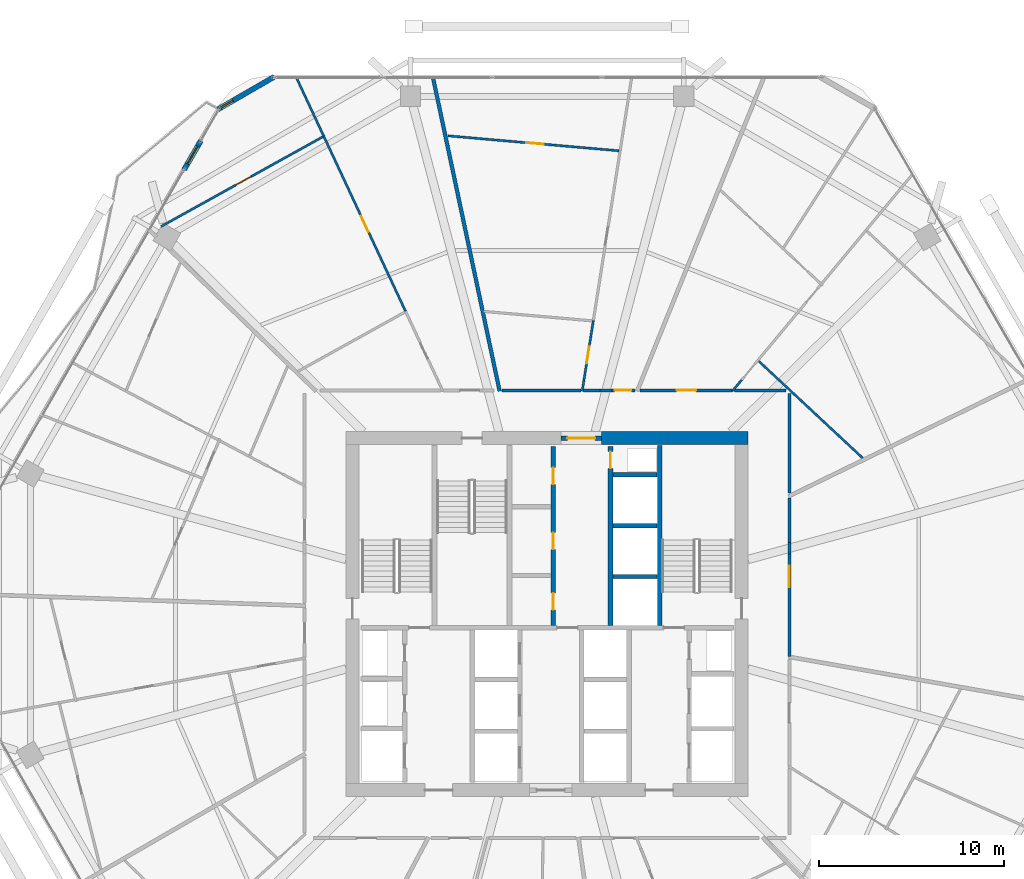
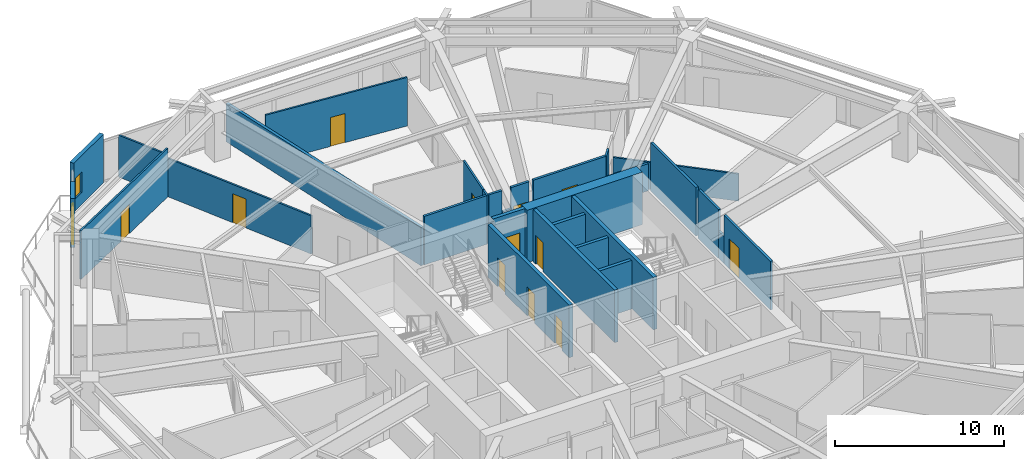
# One storey, part 30 of 33: 29 walls, 13 doors, 1 window, 14 openings.
"""IFC4 building model written with IfcOpenShell, lengths in metres."""

import ifcopenshell
import ifcopenshell.guid

model = None  # the IFC model being written
_history = None  # IfcOwnerHistory: only IFC2X3 demands one
_inside = {}  # id of a spatial element -> (the spatial element, [elements in it])
_under = {}  # id of a project, library or spatial element -> (it, [spatial elements below it])
_declared = {}  # id of a project -> (the project, [libraries it declares])
_typed = {}  # id of a type object -> (the type object, [elements of that type])
_made_of = {}  # id of a material, layer set ... -> (it, [elements and type objects made of it])


def new_model(schema):
    """Start an empty IFC model of exactly this schema.

    Asked for "IFC4X3", IfcOpenShell would pick the latest addendum, in which some entities
    have other attributes; the version numbers below select the first issue.
    IFC2X3 requires an IfcOwnerHistory on every rooted entity: one is made here for all.
    """
    global model, _history
    if schema == "IFC4X3":
        model = ifcopenshell.file(schema_version=(4, 3, 0, 0))
    else:
        model = ifcopenshell.file(schema=schema)
    _inside.clear()
    _under.clear()
    _declared.clear()
    _typed.clear()
    _made_of.clear()
    _history = None
    if model.schema == "IFC2X3":
        org = make("IfcOrganization", Name="unknown")
        user = make(
            "IfcPersonAndOrganization",
            ThePerson=make("IfcPerson", FamilyName="unknown"),
            TheOrganization=org,
        )
        app = make(
            "IfcApplication",
            ApplicationDeveloper=org,
            Version="unknown",
            ApplicationFullName="unknown",
            ApplicationIdentifier="unknown",
        )
        _history = make(
            "IfcOwnerHistory",
            OwningUser=user,
            OwningApplication=app,
            ChangeAction="ADDED",
            CreationDate=0,
        )
    return model


def make(cls, **values):
    """One entity of the class cls with the attributes given. An attribute that is None is left unset."""
    return model.create_entity(
        cls, **{name: value for name, value in values.items() if value is not None}
    )


def rooted(cls, **values):
    """An entity with a GlobalId (a new one), such as an element, a storey or a relation."""
    return make(cls, GlobalId=ifcopenshell.guid.new(), OwnerHistory=_history, **values)


def si_unit(unit_type, name, prefix=None):
    """IfcSIUnit, for example si_unit("LENGTHUNIT", "METRE", prefix="MILLI")."""
    return make("IfcSIUnit", UnitType=unit_type, Prefix=prefix, Name=name)


def assignment(units):
    """IfcUnitAssignment: the units of a project."""
    return None if units is None else make("IfcUnitAssignment", Units=units)


def point(xyz):
    """IfcCartesianPoint."""
    return None if xyz is None else make("IfcCartesianPoint", Coordinates=xyz)


def direction(xyz):
    """IfcDirection."""
    return None if xyz is None else make("IfcDirection", DirectionRatios=xyz)


def frame(location, z_axis=None, x_axis=None):
    """IfcAxis2Placement3D, a coordinate frame: its origin and axes. An axis left out is left unset."""
    return make(
        "IfcAxis2Placement3D",
        Location=point(location),
        Axis=direction(z_axis),
        RefDirection=direction(x_axis),
    )


def frame_2d(location, x_axis=None):
    """IfcAxis2Placement2D, a coordinate frame in the plane: its origin and x axis."""
    return make(
        "IfcAxis2Placement2D", Location=point(location), RefDirection=direction(x_axis)
    )


def origin():
    """The frame at (0, 0, 0) with its axes left unset."""
    return frame((0.0, 0.0, 0.0))


def place(relative_to, where):
    """IfcLocalPlacement: puts the frame where relative to a parent placement (None: the world)."""
    return make(
        "IfcLocalPlacement", PlacementRelTo=relative_to, RelativePlacement=where
    )


def context(
    kind, dimensions, precision=None, world=None, true_north=None, identifier=None
):
    """IfcGeometricRepresentationContext, for example the 3D "Model" context."""
    return make(
        "IfcGeometricRepresentationContext",
        ContextIdentifier=identifier,
        ContextType=kind,
        CoordinateSpaceDimension=dimensions,
        Precision=precision,
        WorldCoordinateSystem=world,
        TrueNorth=true_north,
    )


def subcontext(parent, identifier, kind, view, scale=None):
    """IfcGeometricRepresentationSubContext, for example "Body" below "Model"."""
    return make(
        "IfcGeometricRepresentationSubContext",
        ContextIdentifier=identifier,
        ContextType=kind,
        ParentContext=parent,
        TargetScale=scale,
        TargetView=view,
    )


def project(units=None, contexts=None):
    """IfcProject with its units and contexts."""
    return rooted(
        "IfcProject",
        Name="project",
        RepresentationContexts=contexts,
        UnitsInContext=assignment(units),
    )


def spatial(cls, under=None, at=None, **own):
    """A site, building, storey or space (cls), placed at a placement, below another one or the project."""
    s = rooted(cls, ObjectPlacement=at, **own)
    if under is not None:
        _under.setdefault(under.id(), (under, []))[1].append(s)
    return s


def profile(cls, at=None, kind="AREA", **sizes):
    """A parametric profile (cls). Its sizes go by their IFC names, for example OverallWidth=200.0."""
    return make(cls, ProfileType=kind, Position=at, **sizes)


def rectangle(**sizes):
    """IfcRectangleProfileDef."""
    return profile("IfcRectangleProfileDef", **sizes)


def extrude(swept, where, along, depth):
    """IfcExtrudedAreaSolid: the profile swept, set in the frame where, extruded along a direction by depth."""
    return make(
        "IfcExtrudedAreaSolid",
        SweptArea=swept,
        Position=where,
        ExtrudedDirection=direction(along),
        Depth=depth,
    )


def shape(context_of_items, identifier, shape_type, items):
    """IfcShapeRepresentation: the items that make up one representation, for example the "Body"."""
    return make(
        "IfcShapeRepresentation",
        ContextOfItems=context_of_items,
        RepresentationIdentifier=identifier,
        RepresentationType=shape_type,
        Items=items,
    )


def material(Name=None, Category=None):
    """IfcMaterial."""
    return make("IfcMaterial", Name=Name, Category=Category)


def layer(
    of_material, thickness, ventilated=None, Name=None, Category=None, Priority=None
):
    """IfcMaterialLayer: one layer of a wall or slab, of a material (None: an air gap)."""
    return make(
        "IfcMaterialLayer",
        Material=of_material,
        LayerThickness=thickness,
        IsVentilated=ventilated,
        Name=Name,
        Category=Category,
        Priority=Priority,
    )


def layer_set(layers, Name=None):
    """IfcMaterialLayerSet."""
    return make("IfcMaterialLayerSet", MaterialLayers=layers, LayerSetName=Name)


def made_of(thing, what):
    """Note that an element or type object is made of a material, layer set ...; save() writes the relation."""
    if what is not None:
        _made_of.setdefault(what.id(), (what, []))[1].append(thing)
    return thing


def type_object(cls, material=None, **own):
    """A type object (cls), such as IfcWallType, which elements share."""
    return made_of(rooted(cls, **own), material)


def element(
    cls,
    number,
    at=None,
    inside=None,
    cuts=None,
    type_object=None,
    material=None,
    context=None,
    identifier="Body",
    shape_type=None,
    held_by="IfcProductDefinitionShape",
    body=None,
    shapes=None,
    **own,
):
    """One element of the class cls, such as IfcWall. Its Tag is "e" and its number.

    at: its placement. inside: the storey or other place that contains it. cuts: it is an
    opening in that element (IfcRelVoidsElement). A single representation is given by context,
    identifier, shape_type and body (its items); several are given by shapes. held_by: the class
    of the entity that holds the representations. save() writes the other relations.
    """
    e = rooted(cls, Tag="e%d" % number, ObjectPlacement=at, **own)
    if body is not None:
        shapes = [shape(context, identifier, shape_type, body)]
    if shapes is not None:
        e.Representation = make(held_by, Representations=shapes)
    if inside is not None:
        _inside.setdefault(inside.id(), (inside, []))[1].append(e)
    if cuts is not None:
        rooted(
            "IfcRelVoidsElement", RelatingBuildingElement=cuts, RelatedOpeningElement=e
        )
    if type_object is not None:
        _typed.setdefault(type_object.id(), (type_object, []))[1].append(e)
    return made_of(e, material)


def fill(opening, filler):
    """IfcRelFillsElement: the door or window that sits in an opening."""
    return rooted(
        "IfcRelFillsElement",
        RelatingOpeningElement=opening,
        RelatedBuildingElement=filler,
    )


def aggregate(whole, parts):
    """IfcRelAggregates: a whole, such as a stair, and the parts it consists of."""
    return rooted("IfcRelAggregates", RelatingObject=whole, RelatedObjects=parts)


def save(model, path):
    """Write the relations noted so far, then the file.

    IfcRelAggregates (storeys below a building ...), IfcRelContainedInSpatialStructure (elements
    in a storey), IfcRelDefinesByType, IfcRelAssociatesMaterial and IfcRelDeclares: one each for
    every whole, place, type object, material and project.
    """
    for whole, parts in _under.values():
        aggregate(whole, parts)
    for where, things in _inside.values():
        rooted(
            "IfcRelContainedInSpatialStructure",
            RelatedElements=things,
            RelatingStructure=where,
        )
    for kind, things in _typed.values():
        rooted("IfcRelDefinesByType", RelatedObjects=things, RelatingType=kind)
    for what, things in _made_of.values():
        rooted("IfcRelAssociatesMaterial", RelatedObjects=things, RelatingMaterial=what)
    for by, libraries in _declared.values():
        rooted("IfcRelDeclares", RelatingContext=by, RelatedDefinitions=libraries)
    model.write(path)


model = new_model("IFC4")

# Units and contexts
model_context = context("Model", 3, precision=1e-05, world=origin(), true_north=direction((0.0, 1.0)))
body_context = subcontext(model_context, "Body", "Model", "MODEL_VIEW")
ifc_project = project(units=[si_unit("LENGTHUNIT", "METRE"), si_unit("AREAUNIT", "SQUARE_METRE"), si_unit("VOLUMEUNIT", "CUBIC_METRE"), si_unit("PLANEANGLEUNIT", "RADIAN"), si_unit("MASSUNIT", "GRAM", prefix="KILO")], contexts=[model_context])

# Site, building, storey
site_placement = place(None, origin())
site = spatial("IfcSite", under=ifc_project, at=site_placement, CompositionType="ELEMENT")
building_placement = place(site_placement, origin())
building = spatial("IfcBuilding", under=site, at=building_placement, Name="Zuhravey Tower", CompositionType="ELEMENT")
storey_placement = place(building_placement, frame((0.0, 0.0, 141.800048828125)))
storey = spatial("IfcBuildingStorey", under=building, at=storey_placement, Name="L35", CompositionType="ELEMENT", Elevation=141.800048828125)

# Wall
ifc_material_1 = material(Name="Concrete C60/75", Category="concrete")
ifc_layer_1 = layer(ifc_material_1, 0.699951171875)
ifc_layer_set_1 = layer_set([ifc_layer_1], Name="Concrete C60/75")
wall_type_1 = type_object("IfcWallType", Name="Core Shear Wall 700", PredefinedType="SHEAR", material=ifc_layer_set_1)
wall_1_placement = place(storey_placement, frame((46.85009765625, 41.5, 0.0), z_axis=(0.0, 0.0, 1.0), x_axis=(-1.0, 0.0, 0.0)))
element("IfcWall", 1, at=wall_1_placement, inside=storey, type_object=wall_type_1, Name="L35 North-East Core Shear Wall CW70", PredefinedType="SHEAR", context=body_context, shape_type="SweptSolid", body=[
    extrude(rectangle(XDim=7.900146484375, YDim=0.699951171875, at=frame_2d((3.9501953125, 0.0))), origin(), (0.0, 0.0, 1.0), 3.800048828125),
])

# Wall, opening, door
ifc_material_2 = material(Name="Gypsum fire-rated stud partition")
ifc_layer_2 = layer(ifc_material_2, 0.159912109375)
ifc_layer_set_2 = layer_set([ifc_layer_2], Name="Gypsum fire-rated stud partition")
wall_type_2 = type_object("IfcWallType", Name="Corridor Fire Partition 160", PredefinedType="PARTITIONING", material=ifc_layer_set_2)
wall_2_placement = place(storey_placement, frame((46.010009765625, 44.080078125, 0.0), z_axis=(0.0, 0.0, 1.0), x_axis=(-1.0, 0.0, 0.0)))
wall_2 = element("IfcWall", 2, at=wall_2_placement, inside=storey, type_object=wall_type_2, Name="L35 IW16 Partition 024", PredefinedType="PARTITIONING", context=body_context, shape_type="SweptSolid", body=[
    extrude(rectangle(XDim=4.984619140625, YDim=0.159912109375, at=frame_2d((2.4921875, 0.0))), origin(), (0.0, 0.0, 1.0), 3.52001953125),
])
opening_1_placement = place(wall_2_placement, frame((1.96728515625, 0.0, 0.0)))
opening_1 = element("IfcOpeningElement", 3, at=opening_1_placement, cuts=wall_2, Name="Opening APD1", PredefinedType="OPENING", context=body_context, shape_type="SweptSolid", body=[
    extrude(rectangle(XDim=1.050048828125, YDim=2.14990234375, at=frame_2d((0.52490234375, 1.074951171875))), frame((0.0, 0.092041015625, 0.0), z_axis=(0.0, -1.0, 0.0), x_axis=(1.0, 0.0, 0.0)), (0.0, 0.0, 1.0), 0.183837890625),
])
ifc_material_3 = material(Name="Solid-core oak fire-rated leaf")
door_type_1 = type_object("IfcDoorType", Name="Apartment Entrance Fire Door 1050x2150", OperationType="NOTDEFINED", PredefinedType="DOOR", material=ifc_material_3)
door_1_placement = place(opening_1_placement, frame((1.050048828125, 0.0, 0.0), z_axis=(0.0, 0.0, 1.0), x_axis=(-1.0, 0.0, 0.0)))
door_1 = element("IfcDoor", 4, at=door_1_placement, inside=storey, type_object=door_type_1, Name="L35 Door 024.1", OperationType="SINGLE_SWING_RIGHT", OverallHeight=2.14990234375, OverallWidth=1.050048828125, PredefinedType="DOOR", context=body_context, shape_type="SweptSolid", body=[
    extrude(rectangle(XDim=1.050048828125, YDim=2.14990234375, at=frame_2d((0.52490234375, 1.074951171875))), frame((0.0, 0.02490234375, 0.0), z_axis=(0.0, -1.0, 0.0), x_axis=(1.0, 0.0, 0.0)), (0.0, 0.0, 1.0), 0.050048828125),
])
fill(opening_1, door_1)

wall_3_placement = place(storey_placement, frame((40.73681640625, 44.080078125, 0.0), z_axis=(0.0, 0.0, 1.0), x_axis=(-1.0, 0.0, 0.0)))
wall_3 = element("IfcWall", 5, at=wall_3_placement, inside=storey, type_object=wall_type_2, Name="L35 IW16 Partition 028", PredefinedType="PARTITIONING", context=body_context, shape_type="SweptSolid", body=[
    extrude(rectangle(XDim=1.229736328125, YDim=0.159912109375, at=frame_2d((0.61474609375, 0.0))), origin(), (0.0, 0.0, 1.0), 3.52001953125),
])
opening_2_placement = place(wall_3_placement, frame((0.189697265625, 0.0, 0.0)))
opening_2 = element("IfcOpeningElement", 6, at=opening_2_placement, cuts=wall_3, Name="Opening RSD1", PredefinedType="OPENING", context=body_context, shape_type="SweptSolid", body=[
    extrude(rectangle(XDim=0.89990234375, YDim=2.10009765625, at=frame_2d((0.449951171875, 1.050048828125))), frame((0.0, 0.092041015625, 0.0), z_axis=(0.0, -1.0, 0.0), x_axis=(1.0, 0.0, 0.0)), (0.0, 0.0, 1.0), 0.183837890625),
])
ifc_material_4 = material(Name="Galvanised fire-rated steel access leaf", Category="steel")
door_type_2 = type_object("IfcDoorType", Name="Riser & Shaft Access Fire Door 900x2100", OperationType="NOTDEFINED", PredefinedType="DOOR", material=ifc_material_4)
door_2_placement = place(opening_2_placement, frame((0.89990234375, 0.0, 0.0), z_axis=(0.0, 0.0, 1.0), x_axis=(-1.0, 0.0, 0.0)))
door_2 = element("IfcDoor", 7, at=door_2_placement, inside=storey, type_object=door_type_2, Name="L35 Door 028.1", OperationType="SINGLE_SWING_RIGHT", OverallHeight=2.10009765625, OverallWidth=0.89990234375, PredefinedType="DOOR", context=body_context, shape_type="SweptSolid", body=[
    extrude(rectangle(XDim=0.89990234375, YDim=2.10009765625, at=frame_2d((0.449951171875, 1.050048828125))), frame((0.0, 0.02490234375, 0.0), z_axis=(0.0, -1.0, 0.0), x_axis=(1.0, 0.0, 0.0)), (0.0, 0.0, 1.0), 0.050048828125),
])
fill(opening_2, door_2)

wall_4_placement = place(storey_placement, frame((49.080078125, 29.714111328125, 0.0), z_axis=(0.0, 0.0, 1.0), x_axis=(0.0, 1.0, 0.0)))
wall_4 = element("IfcWall", 8, at=wall_4_placement, inside=storey, type_object=wall_type_2, Name="L35 IW16 Partition 065", PredefinedType="PARTITIONING", context=body_context, shape_type="SweptSolid", body=[
    extrude(rectangle(XDim=5.52392578125, YDim=0.159912109375, at=frame_2d((2.761962890625, 0.0))), origin(), (0.0, 0.0, 1.0), 3.52001953125),
])
opening_3_placement = place(wall_4_placement, frame((3.74658203125, 0.0, 0.0)))
opening_3 = element("IfcOpeningElement", 9, at=opening_3_placement, cuts=wall_4, Name="Opening CLD1", PredefinedType="OPENING", context=body_context, shape_type="SweptSolid", body=[
    extrude(rectangle(XDim=1.14990234375, YDim=2.199951171875, at=frame_2d((0.574951171875, 1.10009765625))), frame((0.0, 0.092041015625, 0.0), z_axis=(0.0, -1.0, 0.0), x_axis=(1.0, 0.0, 0.0)), (0.0, 0.0, 1.0), 0.183837890625),
])
ifc_material_5 = material(Name="Acoustic timber leaf with vision lite", Category="wood")
door_type_3 = type_object("IfcDoorType", Name="Classroom Acoustic Door 1150x2200", OperationType="NOTDEFINED", PredefinedType="DOOR", material=ifc_material_5)
door_3_placement = place(opening_3_placement, frame((1.14990234375, 0.0, 0.0), z_axis=(0.0, 0.0, 1.0), x_axis=(-1.0, 0.0, 0.0)))
door_3 = element("IfcDoor", 10, at=door_3_placement, inside=storey, type_object=door_type_3, Name="L35 Door 065.1", OperationType="SINGLE_SWING_LEFT", OverallHeight=2.199951171875, OverallWidth=1.14990234375, PredefinedType="DOOR", context=body_context, shape_type="SweptSolid", body=[
    extrude(rectangle(XDim=1.14990234375, YDim=2.199951171875, at=frame_2d((0.574951171875, 1.10009765625))), frame((0.0, 0.02490234375, 0.0), z_axis=(0.0, -1.0, 0.0), x_axis=(1.0, 0.0, 0.0)), (0.0, 0.0, 1.0), 0.050048828125),
])
fill(opening_3, door_3)

# Walls
wall_5_placement = place(storey_placement, frame((39.507080078125, 44.080078125, 0.0), z_axis=(0.0, 0.0, 1.0), x_axis=(-1.0, 0.0, 0.0)))
element("IfcWall", 11, at=wall_5_placement, inside=storey, type_object=wall_type_2, Name="L35 IW16 Partition 086", PredefinedType="PARTITIONING", context=body_context, shape_type="SweptSolid", body=[
    extrude(rectangle(XDim=0.64306640625, YDim=0.159912109375, at=frame_2d((0.321533203125, 0.0))), origin(), (0.0, 0.0, 1.0), 1.969970703125),
])
wall_6_placement = place(storey_placement, frame((38.864013671875, 44.080078125, 0.0), z_axis=(0.0, 0.0, 1.0), x_axis=(-1.0, 0.0, 0.0)))
element("IfcWall", 12, at=wall_6_placement, inside=storey, type_object=wall_type_2, Name="L35 IW16 Partition 087", PredefinedType="PARTITIONING", context=body_context, shape_type="SweptSolid", body=[
    extrude(rectangle(XDim=0.890625, YDim=0.159912109375, at=frame_2d((0.4453125, 0.0))), origin(), (0.0, 0.0, 1.0), 3.52001953125),
])
wall_7_placement = place(storey_placement, frame((49.080078125, 35.238037109375, 0.0), z_axis=(0.0, 0.0, 1.0), x_axis=(0.0, 1.0, 0.0)))
element("IfcWall", 13, at=wall_7_placement, inside=storey, type_object=wall_type_2, Name="L35 IW16 Partition 140", PredefinedType="PARTITIONING", context=body_context, shape_type="SweptSolid", body=[
    extrude(rectangle(XDim=0.644775390625, YDim=0.159912109375, at=frame_2d((0.322265625, 0.0))), origin(), (0.0, 0.0, 1.0), 1.969970703125),
])
wall_8_placement = place(storey_placement, frame((49.080078125, 35.8828125, 0.0), z_axis=(0.0, 0.0, 1.0), x_axis=(0.0, 1.0, 0.0)))
element("IfcWall", 14, at=wall_8_placement, inside=storey, type_object=wall_type_2, Name="L35 IW16 Partition 141", PredefinedType="PARTITIONING", context=body_context, shape_type="SweptSolid", body=[
    extrude(rectangle(XDim=2.395263671875, YDim=0.159912109375, at=frame_2d((1.19775390625, 0.0))), origin(), (0.0, 0.0, 1.0), 3.52001953125),
])
wall_9_placement = place(storey_placement, frame((49.080078125, 38.543701171875, 0.0), z_axis=(0.0, 0.0, 1.0), x_axis=(0.0, 1.0, 0.0)))
element("IfcWall", 15, at=wall_9_placement, inside=storey, type_object=wall_type_2, Name="L35 IW16 Partition 142", PredefinedType="PARTITIONING", context=body_context, shape_type="SweptSolid", body=[
    extrude(rectangle(XDim=5.356201171875, YDim=0.159912109375, at=frame_2d((2.67822265625, 0.0))), origin(), (0.0, 0.0, 1.0), 3.52001953125),
])
wall_10_placement = place(storey_placement, frame((48.89990234375, 44.080078125, 0.0), z_axis=(0.0, 0.0, 1.0), x_axis=(-1.0, 0.0, 0.0)))
element("IfcWall", 16, at=wall_10_placement, inside=storey, type_object=wall_type_2, Name="L35 IW16 Partition 143", PredefinedType="PARTITIONING", context=body_context, shape_type="SweptSolid", body=[
    extrude(rectangle(XDim=2.775390625, YDim=0.159912109375, at=frame_2d((1.3876953125, 0.0))), origin(), (0.0, 0.0, 1.0), 1.969970703125),
])
wall_11_placement = place(storey_placement, frame((37.835693359375, 44.080078125, 0.0), z_axis=(0.0, 0.0, 1.0), x_axis=(-1.0, 0.0, 0.0)))
element("IfcWall", 17, at=wall_11_placement, inside=storey, type_object=wall_type_2, Name="L35 IW16 Partition 144", PredefinedType="PARTITIONING", context=body_context, shape_type="SweptSolid", body=[
    extrude(rectangle(XDim=4.27294921875, YDim=0.159912109375, at=frame_2d((2.136474609375, 0.0))), origin(), (0.0, 0.0, 1.0), 3.52001953125),
])

# Wall, opening, door
ifc_material_6 = material(Name="Precast concrete C40/50", Category="concrete")
ifc_layer_3 = layer(ifc_material_6, 0.280029296875)
ifc_layer_set_3 = layer_set([ifc_layer_3], Name="Precast concrete C40/50")
wall_type_3 = type_object("IfcWallType", Name="Crown Architectural Wall 280", PredefinedType="SOLIDWALL", material=ifc_layer_set_3)
wall_12_placement = place(storey_placement, frame((16.41943359375, 56.002197265625, 0.0), z_axis=(0.0, 0.0, 1.0), x_axis=(0.499982180423, 0.866035691677, 0.0)))
wall_12 = element("IfcWall", 18, at=wall_12_placement, inside=storey, type_object=wall_type_3, Name="L35 Face 3 Facade Pier EW28-1", PredefinedType="SOLIDWALL", context=body_context, shape_type="SweptSolid", body=[
    extrude(rectangle(XDim=1.7900390625, YDim=0.280029296875, at=frame_2d((0.89501953125, 0.0))), origin(), (0.0, 0.0, 1.0), 3.52001953125),
])
opening_4_placement = place(wall_12_placement, frame((0.344970703125, 0.0, 0.0)))
opening_4 = element("IfcOpeningElement", 19, at=opening_4_placement, cuts=wall_12, Name="Opening BLD1", PredefinedType="OPENING", context=body_context, shape_type="SweptSolid", body=[
    extrude(rectangle(XDim=1.10009765625, YDim=2.199951171875, at=frame_2d((0.550048828125, 1.10009765625))), frame((0.0, 0.152099609375, 0.0), z_axis=(0.0, -1.0, 0.0), x_axis=(1.0, 0.0, 0.0)), (0.0, 0.0, 1.0), 0.303955078125),
])
ifc_material_7 = material(Name="Thermally broken aluminium and low-E glass", Category="aluminium")
door_type_4 = type_object("IfcDoorType", Name="Balcony & Sky-Tray Glazed Door 1100x2200", OperationType="NOTDEFINED", PredefinedType="DOOR", material=ifc_material_7)
door_4_placement = place(opening_4_placement, frame((1.10009765625, 0.0, 0.0), z_axis=(0.0, 0.0, 1.0), x_axis=(-1.0, 0.0, 0.0)))
door_4 = element("IfcDoor", 20, at=door_4_placement, inside=storey, type_object=door_type_4, Name="L35 Face 3 Wave Balcony Door", OperationType="SINGLE_SWING_RIGHT", OverallHeight=2.199951171875, OverallWidth=1.10009765625, PredefinedType="DOOR", context=body_context, shape_type="SweptSolid", body=[
    extrude(rectangle(XDim=1.10009765625, YDim=2.199951171875, at=frame_2d((0.550048828125, 1.10009765625))), frame((0.0, 0.02490234375, 0.0), z_axis=(0.0, -1.0, 0.0), x_axis=(1.0, 0.0, 0.0)), (0.0, 0.0, 1.0), 0.050048828125),
])
fill(opening_4, door_4)

# Wall, opening, window
wall_13_placement = place(storey_placement, frame((18.23876953125, 59.24853515625, 0.0), z_axis=(0.0, 0.0, 1.0), x_axis=(0.866007452331, 0.500031091541, 0.0)))
wall_13 = element("IfcWall", 21, at=wall_13_placement, inside=storey, type_object=wall_type_3, Name="L35 Rounded Corner Closure Wall EW28-08", PredefinedType="SOLIDWALL", context=body_context, shape_type="SweptSolid", body=[
    extrude(rectangle(XDim=3.514892578125, YDim=0.280029296875, at=frame_2d((1.75732421875, 0.0))), origin(), (0.0, 0.0, 1.0), 3.52001953125),
])
opening_5_placement = place(wall_13_placement, frame((0.18212890625, 0.0, 0.85009765625)))
opening_5 = element("IfcOpeningElement", 22, at=opening_5_placement, cuts=wall_13, Name="Opening WN5", PredefinedType="OPENING", context=body_context, shape_type="SweptSolid", body=[
    extrude(rectangle(XDim=0.75, YDim=1.5, at=frame_2d((0.375, 0.75))), frame((0.0, 0.152099609375, 0.0), z_axis=(0.0, -1.0, 0.0), x_axis=(1.0, 0.0, 0.0)), (0.0, 0.0, 1.0), 0.303955078125),
])
ifc_material_8 = material(Name="Thermally broken aluminium and triple low-E glass", Category="aluminium")
window_type = type_object("IfcWindowType", Name="Residential Corner Casement Window 750x1500", PartitioningType="SINGLE_PANEL", PredefinedType="WINDOW", material=ifc_material_8)
window_placement = place(opening_5_placement, origin())
window = element("IfcWindow", 23, at=window_placement, inside=storey, type_object=window_type, Name="L35 Corner Casement Window WN5-08.1", OverallHeight=1.5, OverallWidth=0.75, PartitioningType="SINGLE_PANEL", PredefinedType="WINDOW", context=body_context, shape_type="SweptSolid", body=[
    extrude(rectangle(XDim=0.75, YDim=1.5, at=frame_2d((0.375, 0.75))), frame((0.0, 0.030029296875, 0.0), z_axis=(0.0, -1.0, 0.0), x_axis=(1.0, 0.0, 0.0)), (0.0, 0.0, 1.0), 0.06005859375),
])
fill(opening_5, window)

# Wall, opening, door
ifc_material_9 = material(Name="Concrete C50/60", Category="concrete")
ifc_layer_4 = layer(ifc_material_9, 0.25)
ifc_layer_set_4 = layer_set([ifc_layer_4], Name="Concrete C50/60")
wall_type_4 = type_object("IfcWallType", Name="Firefighting Shaft & Stair Wall 250", PredefinedType="SOLIDWALL", material=ifc_layer_set_4)
wall_14_placement = place(storey_placement, frame((36.760009765625, 41.5, 0.0), z_axis=(0.0, 0.0, 1.0), x_axis=(1.0, 0.0, 0.0)))
wall_14 = element("IfcWall", 24, at=wall_14_placement, inside=storey, type_object=wall_type_4, Name="L35 FW25 Shaft Wall 002", PredefinedType="SOLIDWALL", context=body_context, shape_type="SweptSolid", body=[
    extrude(rectangle(XDim=2.179931640625, YDim=0.25, at=frame_2d((1.08984375, 0.0))), origin(), (0.0, 0.0, 1.0), 3.800048828125),
])
opening_6_placement = place(wall_14_placement, frame((0.340087890625, 0.0, 0.0)))
opening_6 = element("IfcOpeningElement", 25, at=opening_6_placement, cuts=wall_14, Name="Opening FFD1", PredefinedType="OPENING", context=body_context, shape_type="SweptSolid", body=[
    extrude(rectangle(XDim=1.5, YDim=2.14990234375, at=frame_2d((0.75, 1.074951171875))), frame((0.0, 0.136962890625, 0.0), z_axis=(0.0, -1.0, 0.0), x_axis=(1.0, 0.0, 0.0)), (0.0, 0.0, 1.0), 0.27392578125),
])
ifc_material_10 = material(Name="Galvanised fire-rated steel leaf", Category="steel")
door_type_5 = type_object("IfcDoorType", Name="Firefighting Lobby Double Door 1500x2150", OperationType="DOUBLE_DOOR_SINGLE_SWING", PredefinedType="DOOR", material=ifc_material_10)
door_5_placement = place(opening_6_placement, origin())
door_5 = element("IfcDoor", 26, at=door_5_placement, inside=storey, type_object=door_type_5, Name="L35 North Lift Lobby Exit Door", OperationType="DOUBLE_DOOR_SINGLE_SWING", OverallHeight=2.14990234375, OverallWidth=1.5, PredefinedType="DOOR", context=body_context, shape_type="SweptSolid", body=[
    extrude(rectangle(XDim=1.5, YDim=2.14990234375, at=frame_2d((0.75, 1.074951171875))), frame((0.0, 0.02490234375, 0.0), z_axis=(0.0, -1.0, 0.0), x_axis=(1.0, 0.0, 0.0)), (0.0, 0.0, 1.0), 0.050048828125),
])
fill(opening_6, door_5)

# Wall
wall_15_placement = place(storey_placement, frame((42.074951171875, 31.39990234375, 0.0), z_axis=(0.0, 0.0, 1.0), x_axis=(0.0, 1.0, 0.0)))
element("IfcWall", 27, at=wall_15_placement, inside=storey, type_object=wall_type_4, Name="L35 FW25 Shaft Wall 006", PredefinedType="SOLIDWALL", context=body_context, shape_type="SweptSolid", body=[
    extrude(rectangle(XDim=9.7001953125, YDim=0.25, at=frame_2d((4.85009765625, 0.0))), origin(), (0.0, 0.0, 1.0), 3.800048828125),
])

# Wall, openings, doors
wall_16_placement = place(storey_placement, frame((36.324951171875, 31.39990234375, 0.0), z_axis=(0.0, 0.0, 1.0), x_axis=(0.0, 1.0, 0.0)))
wall_16 = element("IfcWall", 28, at=wall_16_placement, inside=storey, type_object=wall_type_4, Name="L35 FW25 Shaft Wall 007", PredefinedType="SOLIDWALL", context=body_context, shape_type="SweptSolid", body=[
    extrude(rectangle(XDim=9.650146484375, YDim=0.25, at=frame_2d((4.8251953125, 0.0))), origin(), (0.0, 0.0, 1.0), 3.800048828125),
])
opening_7_placement = place(wall_16_placement, frame((0.840087890625, 0.0, 0.0)))
opening_7 = element("IfcOpeningElement", 29, at=opening_7_placement, cuts=wall_16, Name="Opening RSD1", PredefinedType="OPENING", context=body_context, shape_type="SweptSolid", body=[
    extrude(rectangle(XDim=0.89990234375, YDim=2.10009765625, at=frame_2d((0.449951171875, 1.050048828125))), frame((0.0, 0.136962890625, 0.0), z_axis=(0.0, -1.0, 0.0), x_axis=(1.0, 0.0, 0.0)), (0.0, 0.0, 1.0), 0.27392578125),
])
opening_8_placement = place(wall_16_placement, frame((4.10009765625, 0.0, 0.0)))
opening_8 = element("IfcOpeningElement", 30, at=opening_8_placement, cuts=wall_16, Name="Opening RSD1", PredefinedType="OPENING", context=body_context, shape_type="SweptSolid", body=[
    extrude(rectangle(XDim=0.89990234375, YDim=2.10009765625, at=frame_2d((0.449951171875, 1.050048828125))), frame((0.0, 0.136962890625, 0.0), z_axis=(0.0, -1.0, 0.0), x_axis=(1.0, 0.0, 0.0)), (0.0, 0.0, 1.0), 0.27392578125),
])
opening_9_placement = place(wall_16_placement, frame((7.610107421875, 0.0, 0.0)))
opening_9 = element("IfcOpeningElement", 31, at=opening_9_placement, cuts=wall_16, Name="Opening RSD1", PredefinedType="OPENING", context=body_context, shape_type="SweptSolid", body=[
    extrude(rectangle(XDim=0.89990234375, YDim=2.10009765625, at=frame_2d((0.449951171875, 1.050048828125))), frame((0.0, 0.136962890625, 0.0), z_axis=(0.0, -1.0, 0.0), x_axis=(1.0, 0.0, 0.0)), (0.0, 0.0, 1.0), 0.27392578125),
])
door_6_placement = place(opening_7_placement, origin())
door_6 = element("IfcDoor", 32, at=door_6_placement, inside=storey, type_object=door_type_2, Name="L35 Core Staff WC Door", OperationType="SINGLE_SWING_RIGHT", OverallHeight=2.10009765625, OverallWidth=0.89990234375, PredefinedType="DOOR", context=body_context, shape_type="SweptSolid", body=[
    extrude(rectangle(XDim=0.89990234375, YDim=2.10009765625, at=frame_2d((0.449951171875, 1.050048828125))), frame((0.0, 0.02490234375, 0.0), z_axis=(0.0, -1.0, 0.0), x_axis=(1.0, 0.0, 0.0)), (0.0, 0.0, 1.0), 0.050048828125),
])
fill(opening_7, door_6)
door_7_placement = place(opening_8_placement, origin())
door_7 = element("IfcDoor", 33, at=door_7_placement, inside=storey, type_object=door_type_2, Name="L35 IT and Comms Room Door", OperationType="SINGLE_SWING_LEFT", OverallHeight=2.10009765625, OverallWidth=0.89990234375, PredefinedType="DOOR", context=body_context, shape_type="SweptSolid", body=[
    extrude(rectangle(XDim=0.89990234375, YDim=2.10009765625, at=frame_2d((0.449951171875, 1.050048828125))), frame((0.0, 0.02490234375, 0.0), z_axis=(0.0, -1.0, 0.0), x_axis=(1.0, 0.0, 0.0)), (0.0, 0.0, 1.0), 0.050048828125),
])
fill(opening_8, door_7)
door_8_placement = place(opening_9_placement, origin())
door_8 = element("IfcDoor", 34, at=door_8_placement, inside=storey, type_object=door_type_2, Name="L35 Janitor Linen Store Door", OperationType="SINGLE_SWING_RIGHT", OverallHeight=2.10009765625, OverallWidth=0.89990234375, PredefinedType="DOOR", context=body_context, shape_type="SweptSolid", body=[
    extrude(rectangle(XDim=0.89990234375, YDim=2.10009765625, at=frame_2d((0.449951171875, 1.050048828125))), frame((0.0, 0.02490234375, 0.0), z_axis=(0.0, -1.0, 0.0), x_axis=(1.0, 0.0, 0.0)), (0.0, 0.0, 1.0), 0.050048828125),
])
fill(opening_9, door_8)

# Wall, opening, door
wall_17_placement = place(storey_placement, frame((39.425048828125, 31.39990234375, 0.0), z_axis=(0.0, 0.0, 1.0), x_axis=(0.0, 1.0, 0.0)))
wall_17 = element("IfcWall", 35, at=wall_17_placement, inside=storey, type_object=wall_type_4, Name="L35 FW25 Shaft Wall 008", PredefinedType="SOLIDWALL", context=body_context, shape_type="SweptSolid", body=[
    extrude(rectangle(XDim=9.650146484375, YDim=0.25, at=frame_2d((4.8251953125, 0.0))), origin(), (0.0, 0.0, 1.0), 3.800048828125),
])
opening_10_placement = place(wall_17_placement, frame((8.469970703125, 0.0, 0.0)))
opening_10 = element("IfcOpeningElement", 36, at=opening_10_placement, cuts=wall_17, Name="Opening RSD1", PredefinedType="OPENING", context=body_context, shape_type="SweptSolid", body=[
    extrude(rectangle(XDim=0.89990234375, YDim=2.10009765625, at=frame_2d((0.449951171875, 1.050048828125))), frame((0.0, 0.136962890625, 0.0), z_axis=(0.0, -1.0, 0.0), x_axis=(1.0, 0.0, 0.0)), (0.0, 0.0, 1.0), 0.27392578125),
])
door_9_placement = place(opening_10_placement, origin())
door_9 = element("IfcDoor", 37, at=door_9_placement, inside=storey, type_object=door_type_2, Name="L35 North Riser Door", OperationType="SINGLE_SWING_LEFT", OverallHeight=2.10009765625, OverallWidth=0.89990234375, PredefinedType="DOOR", context=body_context, shape_type="SweptSolid", body=[
    extrude(rectangle(XDim=0.89990234375, YDim=2.10009765625, at=frame_2d((0.449951171875, 1.050048828125))), frame((0.0, 0.02490234375, 0.0), z_axis=(0.0, -1.0, 0.0), x_axis=(1.0, 0.0, 0.0)), (0.0, 0.0, 1.0), 0.050048828125),
])
fill(opening_10, door_9)

# Walls
ifc_material_11 = material(Name="Gypsum double-stud party assembly")
ifc_layer_5 = layer(ifc_material_11, 0.199951171875)
ifc_layer_set_5 = layer_set([ifc_layer_5], Name="Gypsum double-stud party assembly")
wall_type_5 = type_object("IfcWallType", Name="Inter-Tenancy Party Wall 200", PredefinedType="PARTITIONING", material=ifc_layer_set_5)
wall_18_placement = place(storey_placement, frame((33.44091796875, 44.0400390625, 0.0), z_axis=(0.0, 0.0, 1.0), x_axis=(-0.207915139831, 0.978146867617, 0.0)))
element("IfcWall", 38, at=wall_18_placement, inside=storey, type_object=wall_type_5, Name="L35 IW20 Partition 088", PredefinedType="PARTITIONING", context=body_context, shape_type="SweptSolid", body=[
    extrude(rectangle(XDim=17.29638671875, YDim=0.199951171875, at=frame_2d((8.648193359375, 0.0))), origin(), (0.0, 0.0, 1.0), 2.77001953125),
])
ifc_material_12 = material(Name="Gypsum acoustic stud assembly")
ifc_layer_6 = layer(ifc_material_12, 0.219970703125)
ifc_layer_set_6 = layer_set([ifc_layer_6], Name="Gypsum acoustic stud assembly")
wall_type_6 = type_object("IfcWallType", Name="School Acoustic Compartment Wall 220", PredefinedType="PARTITIONING", material=ifc_layer_set_6)
for number, where, z_axis, x_axis, name in (
    (39, (39.55810546875, 34.02490234375, 0.0), (0.0, 0.0, 1.0), (1.0, 0.0, 0.0), "L35 IW22 Partition 068"),
    (40, (39.55810546875, 36.77490234375, 0.0), (0.0, 0.0, 1.0), (1.0, 0.0, 0.0), "L35 IW22 Partition 069"),
    (41, (39.55810546875, 39.52490234375, 0.0), (0.0, 0.0, 1.0), (1.0, 0.0, 0.0), "L35 IW22 Partition 070"),
):
    element("IfcWall", number, at=place(storey_placement, frame(where, z_axis=z_axis, x_axis=x_axis)), inside=storey, type_object=wall_type_6, Name=name, PredefinedType="PARTITIONING", context=body_context, shape_type="SweptSolid", body=[
        extrude(rectangle(XDim=2.3837890625, YDim=0.219970703125, at=frame_2d((1.19189453125, 0.0))), origin(), (0.0, 0.0, 1.0), 3.52001953125),
    ])

# Wall, opening, door
ifc_material_13 = material(Name="Gypsum metal-stud partition")
ifc_layer_7 = layer(ifc_material_13, 0.1201171875)
ifc_layer_set_7 = layer_set([ifc_layer_7], Name="Gypsum metal-stud partition")
wall_type_7 = type_object("IfcWallType", Name="Unit Internal Partition 120", PredefinedType="PARTITIONING", material=ifc_layer_set_7)
wall_19_placement = place(storey_placement, frame((37.994384765625, 44.64990234375, 0.0), z_axis=(0.0, 0.0, 1.0), x_axis=(0.155776809329, 0.987792278607, 0.0)))
wall_19 = element("IfcWall", 42, at=wall_19_placement, inside=storey, type_object=wall_type_7, Name="L35 IW12 Partition 025", PredefinedType="PARTITIONING", context=body_context, shape_type="SweptSolid", body=[
    extrude(rectangle(XDim=3.239501953125, YDim=0.1201171875, at=frame_2d((1.61962890625, 0.0))), origin(), (0.0, 0.0, 1.0), 3.52001953125),
])
opening_11_placement = place(wall_19_placement, frame((0.91064453125, 0.0, 0.0)))
opening_11 = element("IfcOpeningElement", 43, at=opening_11_placement, cuts=wall_19, Name="Opening WCD1", PredefinedType="OPENING", context=body_context, shape_type="SweptSolid", body=[
    extrude(rectangle(XDim=0.89990234375, YDim=2.10009765625, at=frame_2d((0.449951171875, 1.050048828125))), frame((0.0, 0.072021484375, 0.0), z_axis=(0.0, -1.0, 0.0), x_axis=(1.0, 0.0, 0.0)), (0.0, 0.0, 1.0), 0.14404296875),
])
ifc_material_14 = material(Name="Moisture-resistant timber leaf", Category="wood")
door_type_6 = type_object("IfcDoorType", Name="Bathroom & WC Internal Door 900x2100", OperationType="NOTDEFINED", PredefinedType="DOOR", material=ifc_material_14)
door_10_placement = place(opening_11_placement, origin())
door_10 = element("IfcDoor", 44, at=door_10_placement, inside=storey, type_object=door_type_6, Name="Apartment L35-02 Bathroom Door", OperationType="SINGLE_SWING_LEFT", OverallHeight=2.10009765625, OverallWidth=0.89990234375, PredefinedType="DOOR", context=body_context, shape_type="SweptSolid", body=[
    extrude(rectangle(XDim=0.89990234375, YDim=2.10009765625, at=frame_2d((0.449951171875, 1.050048828125))), frame((0.0, 0.02490234375, 0.0), z_axis=(0.0, -1.0, 0.0), x_axis=(1.0, 0.0, 0.0)), (0.0, 0.0, 1.0), 0.050048828125),
])
fill(opening_11, door_10)

wall_20_placement = place(storey_placement, frame((39.87451171875, 57.010498046875, 0.0), z_axis=(0.0, 0.0, 1.0), x_axis=(-0.996195462129, 0.087147009318, 0.0)))
wall_20 = element("IfcWall", 45, at=wall_20_placement, inside=storey, type_object=wall_type_7, Name="L35 IW12 Partition 027", PredefinedType="PARTITIONING", context=body_context, shape_type="SweptSolid", body=[
    extrude(rectangle(XDim=9.264404296875, YDim=0.1201171875, at=frame_2d((4.63232421875, 0.0))), origin(), (0.0, 0.0, 1.0), 3.52001953125),
])
opening_12_placement = place(wall_20_placement, frame((4.072998046875, 0.0, 0.0)))
opening_12 = element("IfcOpeningElement", 46, at=opening_12_placement, cuts=wall_20, Name="Opening IND1", PredefinedType="OPENING", context=body_context, shape_type="SweptSolid", body=[
    extrude(rectangle(XDim=0.949951171875, YDim=2.10009765625, at=frame_2d((0.47509765625, 1.050048828125))), frame((0.0, 0.072021484375, 0.0), z_axis=(0.0, -1.0, 0.0), x_axis=(1.0, 0.0, 0.0)), (0.0, 0.0, 1.0), 0.14404296875),
])
ifc_material_15 = material(Name="Painted engineered timber leaf", Category="wood")
door_type_7 = type_object("IfcDoorType", Name="Internal Room & Bedroom Door 950x2100", OperationType="NOTDEFINED", PredefinedType="DOOR", material=ifc_material_15)
door_11_placement = place(opening_12_placement, frame((0.949951171875, 0.0, 0.0), z_axis=(0.0, 0.0, 1.0), x_axis=(-1.0, 0.0, 0.0)))
door_11 = element("IfcDoor", 47, at=door_11_placement, inside=storey, type_object=door_type_7, Name="Apartment L35-02 Bedroom 1 Door", OperationType="SINGLE_SWING_LEFT", OverallHeight=2.10009765625, OverallWidth=0.949951171875, PredefinedType="DOOR", context=body_context, shape_type="SweptSolid", body=[
    extrude(rectangle(XDim=0.949951171875, YDim=2.10009765625, at=frame_2d((0.47509765625, 1.050048828125))), frame((0.0, 0.02490234375, 0.0), z_axis=(0.0, -1.0, 0.0), x_axis=(1.0, 0.0, 0.0)), (0.0, 0.0, 1.0), 0.050048828125),
])
fill(opening_12, door_11)

wall_21_placement = place(storey_placement, frame((28.361083984375, 48.35205078125, 0.0), z_axis=(0.0, 0.0, 1.0), x_axis=(-0.423271837067, 0.906002732858, 0.0)))
wall_21 = element("IfcWall", 48, at=wall_21_placement, inside=storey, type_object=wall_type_7, Name="L35 IW12 Partition 030", PredefinedType="PARTITIONING", context=body_context, shape_type="SweptSolid", body=[
    extrude(rectangle(XDim=10.44580078125, YDim=0.1201171875, at=frame_2d((5.222900390625, 0.0))), origin(), (0.0, 0.0, 1.0), 2.77001953125),
])
opening_13_placement = place(wall_21_placement, frame((4.722900390625, 0.0, 0.0)))
opening_13 = element("IfcOpeningElement", 49, at=opening_13_placement, cuts=wall_21, Name="Opening IND1", PredefinedType="OPENING", context=body_context, shape_type="SweptSolid", body=[
    extrude(rectangle(XDim=0.949951171875, YDim=2.10009765625, at=frame_2d((0.47509765625, 1.050048828125))), frame((0.0, 0.072021484375, 0.0), z_axis=(0.0, -1.0, 0.0), x_axis=(1.0, 0.0, 0.0)), (0.0, 0.0, 1.0), 0.14404296875),
])
door_12_placement = place(opening_13_placement, origin())
door_12 = element("IfcDoor", 50, at=door_12_placement, inside=storey, type_object=door_type_7, Name="Apartment L35-03 Home Office Door", OperationType="SINGLE_SWING_RIGHT", OverallHeight=2.10009765625, OverallWidth=0.949951171875, PredefinedType="DOOR", context=body_context, shape_type="SweptSolid", body=[
    extrude(rectangle(XDim=0.949951171875, YDim=2.10009765625, at=frame_2d((0.47509765625, 1.050048828125))), frame((0.0, 0.02490234375, 0.0), z_axis=(0.0, -1.0, 0.0), x_axis=(1.0, 0.0, 0.0)), (0.0, 0.0, 1.0), 0.050048828125),
])
fill(opening_13, door_12)

wall_22_placement = place(storey_placement, frame((23.890869140625, 57.76025390625, 0.0), z_axis=(0.0, 0.0, 1.0), x_axis=(-0.87462699722, -0.48479646836, 0.0)))
wall_22 = element("IfcWall", 51, at=wall_22_placement, inside=storey, type_object=wall_type_7, Name="L35 IW12 Partition 031", PredefinedType="PARTITIONING", context=body_context, shape_type="SweptSolid", body=[
    extrude(rectangle(XDim=9.9697265625, YDim=0.1201171875, at=frame_2d((4.98486328125, 0.0))), origin(), (0.0, 0.0, 1.0), 3.52001953125),
])
opening_14_placement = place(wall_22_placement, frame((4.425537109375, 0.0, 0.0)))
opening_14 = element("IfcOpeningElement", 52, at=opening_14_placement, cuts=wall_22, Name="Opening IND1", PredefinedType="OPENING", context=body_context, shape_type="SweptSolid", body=[
    extrude(rectangle(XDim=0.949951171875, YDim=2.10009765625, at=frame_2d((0.47509765625, 1.050048828125))), frame((0.0, 0.072021484375, 0.0), z_axis=(0.0, -1.0, 0.0), x_axis=(1.0, 0.0, 0.0)), (0.0, 0.0, 1.0), 0.14404296875),
])
door_13_placement = place(opening_14_placement, frame((0.949951171875, 0.0, 0.0), z_axis=(0.0, 0.0, 1.0), x_axis=(-1.0, 0.0, 0.0)))
door_13 = element("IfcDoor", 53, at=door_13_placement, inside=storey, type_object=door_type_7, Name="Apartment L35-03 Bedroom 1 Door", OperationType="SINGLE_SWING_LEFT", OverallHeight=2.10009765625, OverallWidth=0.949951171875, PredefinedType="DOOR", context=body_context, shape_type="SweptSolid", body=[
    extrude(rectangle(XDim=0.949951171875, YDim=2.10009765625, at=frame_2d((0.47509765625, 1.050048828125))), frame((0.0, 0.02490234375, 0.0), z_axis=(0.0, -1.0, 0.0), x_axis=(1.0, 0.0, 0.0)), (0.0, 0.0, 1.0), 0.050048828125),
])
fill(opening_14, door_13)

# Walls
wall_23_placement = place(storey_placement, frame((46.010009765625, 44.048583984375, 0.0), z_axis=(0.0, 0.0, 1.0), x_axis=(0.639170318342, 0.769065214498, 0.0)))
element("IfcWall", 54, at=wall_23_placement, inside=storey, type_object=wall_type_7, Name="L35 IW12 Partition 077", PredefinedType="PARTITIONING", context=body_context, shape_type="SweptSolid", body=[
    extrude(rectangle(XDim=0.781982421875, YDim=0.1201171875, at=frame_2d((0.39111328125, 0.0))), origin(), (0.0, 0.0, 1.0), 3.52001953125),
])
wall_24_placement = place(storey_placement, frame((53.033447265625, 40.427978515625, 0.0), z_axis=(0.0, 0.0, 1.0), x_axis=(-0.731359363813, 0.681992288053, 0.0)))
element("IfcWall", 55, at=wall_24_placement, inside=storey, type_object=wall_type_7, Name="L35 IW12 Partition 079", PredefinedType="PARTITIONING", context=body_context, shape_type="SweptSolid", body=[
    extrude(rectangle(XDim=7.660400390625, YDim=0.1201171875, at=frame_2d((3.830078125, 0.0))), origin(), (0.0, 0.0, 1.0), 1.969970703125),
])
wall_25_placement = place(storey_placement, frame((37.8974609375, 44.034912109375, 0.0), z_axis=(0.0, 0.0, 1.0), x_axis=(0.155680648321, 0.987807438592, 0.0)))
element("IfcWall", 56, at=wall_25_placement, inside=storey, type_object=wall_type_7, Name="L35 IW12 Partition 083", PredefinedType="PARTITIONING", context=body_context, shape_type="SweptSolid", body=[
    extrude(rectangle(XDim=0.62255859375, YDim=0.1201171875, at=frame_2d((0.311279296875, 0.0))), origin(), (0.0, 0.0, 1.0), 3.52001953125),
])
wall_26_placement = place(storey_placement, frame((23.939697265625, 57.81591796875, 0.0), z_axis=(0.0, 0.0, 1.0), x_axis=(-0.423216309733, 0.906028672381, 0.0)))
element("IfcWall", 57, at=wall_26_placement, inside=storey, type_object=wall_type_7, Name="L35 IW12 Partition 090", PredefinedType="PARTITIONING", context=body_context, shape_type="SweptSolid", body=[
    extrude(rectangle(XDim=3.473876953125, YDim=0.1201171875, at=frame_2d((1.73681640625, 0.0))), origin(), (0.0, 0.0, 1.0), 3.02001953125),
])

save(model, "model.ifc")
